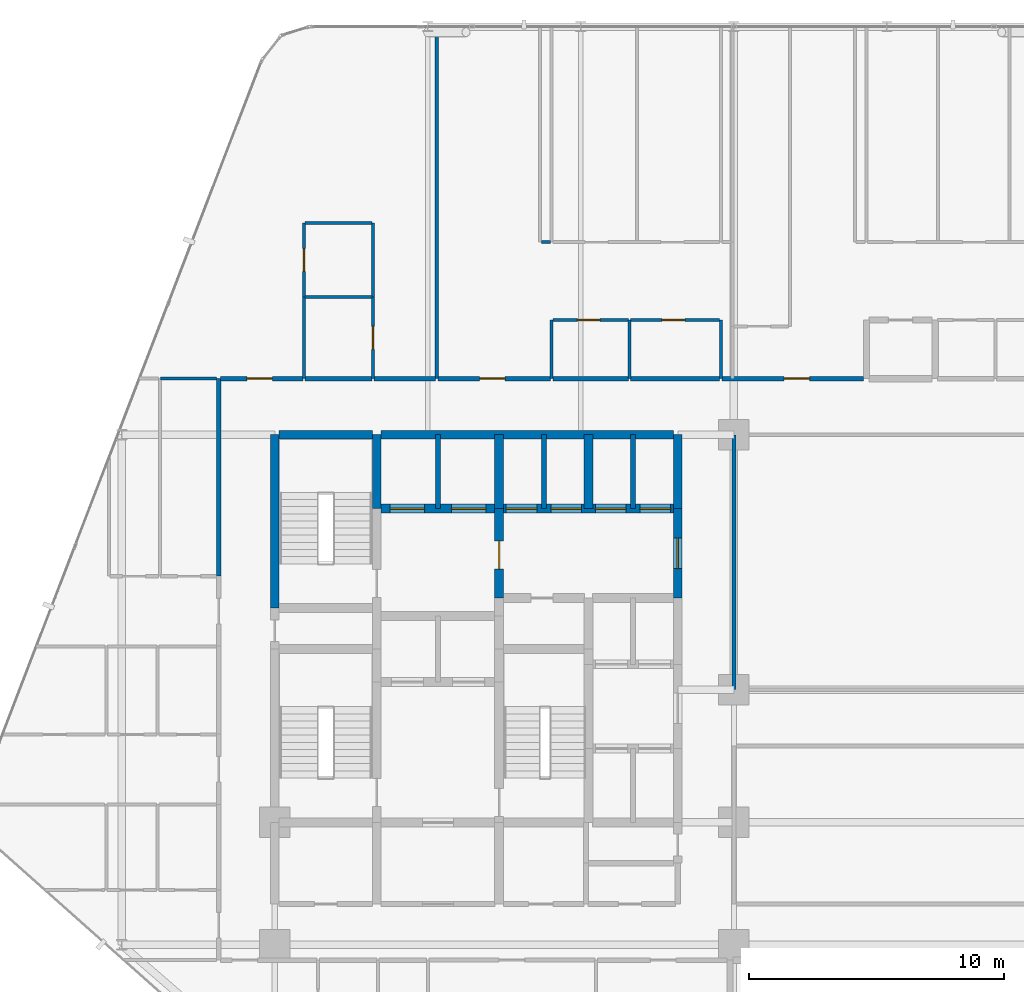
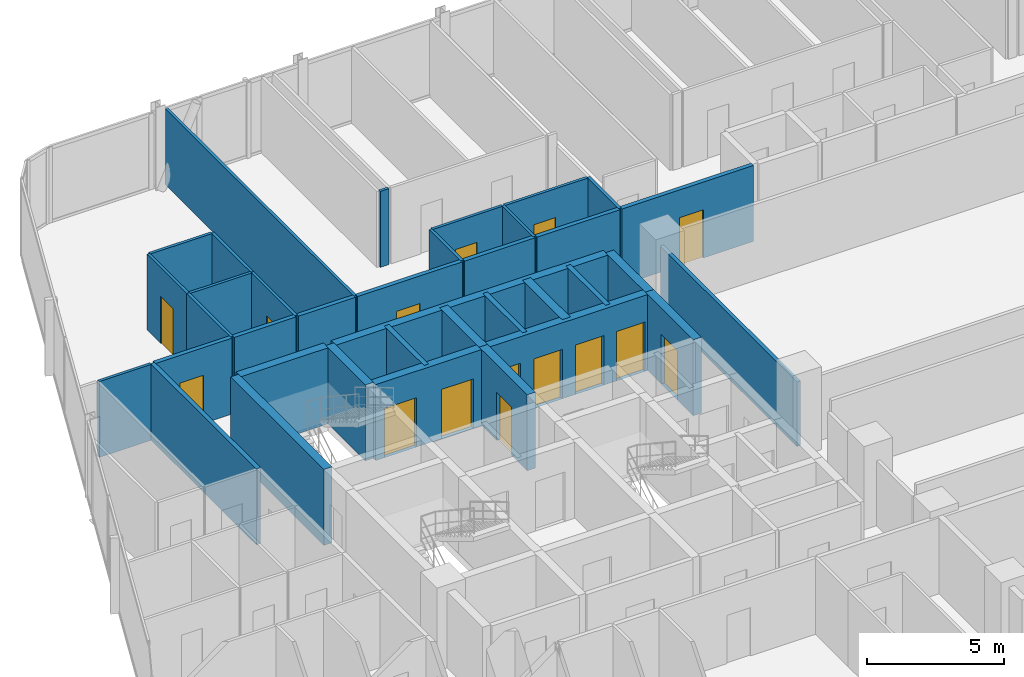
# One storey, part 30 of 34: 36 walls, 15 doors, 15 openings.
"""IFC4 building model written with IfcOpenShell, lengths in metres."""

from ifc_helpers import new_model, si_unit, direction, frame, frame_2d, origin, place, context, subcontext, project, spatial, rectangle, extrude, material, layer, layer_set, type_object, element, fill, save


model = new_model("IFC4")

# Units and contexts
model_context = context("Model", 3, precision=1e-05, world=origin(), true_north=direction((0.0, 1.0)))
body_context = subcontext(model_context, "Body", "Model", "MODEL_VIEW")
ifc_project = project(units=[si_unit("LENGTHUNIT", "METRE"), si_unit("AREAUNIT", "SQUARE_METRE"), si_unit("VOLUMEUNIT", "CUBIC_METRE"), si_unit("PLANEANGLEUNIT", "RADIAN"), si_unit("MASSUNIT", "GRAM", prefix="KILO")], contexts=[model_context])

# Site, building, storey
site_placement = place(None, origin())
site = spatial("IfcSite", under=ifc_project, at=site_placement, CompositionType="ELEMENT")
building_placement = place(site_placement, origin())
building = spatial("IfcBuilding", under=site, at=building_placement, Name="Keshet Zoharim Tower", CompositionType="ELEMENT")
storey_placement = place(building_placement, frame((0.0, 0.0, 53.60009765625)))
storey = spatial("IfcBuildingStorey", under=building, at=storey_placement, Name="L12", CompositionType="ELEMENT", Elevation=53.60009765625)

# Walls
ifc_material_1 = material(Name="Gypsum Plasterboard", Category="gypsum")
ifc_layer_1 = layer(ifc_material_1, 0.14990234375)
ifc_layer_set_1 = layer_set([ifc_layer_1], Name="Gypsum Plasterboard")
wall_type_1 = type_object("IfcWallType", Name="WL-CLIN-150", PredefinedType="STANDARD", material=ifc_layer_set_1)
wall_1_placement = place(storey_placement, frame((33.0, 27.909912109375, 0.0), z_axis=(0.0, 0.0, 1.0), x_axis=(0.0, 1.0, 0.0)))
element("IfcWall", 1, at=wall_1_placement, inside=storey, type_object=wall_type_1, Name="L12 Interior Wall 076", PredefinedType="STANDARD", context=body_context, shape_type="SweptSolid", body=[
    extrude(rectangle(XDim=9.97998046875, YDim=0.14990234375, at=frame_2d((4.989990234375, 0.0))), origin(), (0.0, 0.0, 1.0), 2.885009765625),
])
ifc_material_2 = material(Name="Concrete C60/75", Category="concrete")
ifc_layer_2 = layer(ifc_material_2, 0.35009765625)
ifc_layer_set_2 = layer_set([ifc_layer_2], Name="Concrete C60/75")
wall_type_2 = type_object("IfcWallType", Name="WL-CORE-350", PredefinedType="SHEAR", material=ifc_layer_set_2)
wall_2_placement = place(storey_placement, frame((15.0, 31.10009765625, 0.0), z_axis=(0.0, 0.0, 1.0), x_axis=(0.0, 1.0, 0.0)))
element("IfcWall", 2, at=wall_2_placement, inside=storey, type_object=wall_type_2, Name="L12 Core Shear Wall 016", PredefinedType="SHEAR", context=body_context, shape_type="SweptSolid", body=[
    extrude(rectangle(XDim=6.7998046875, YDim=0.35009765625, at=frame_2d((3.39990234375, 0.0))), origin(), (0.0, 0.0, 1.0), 3.385009765625),
])
wall_3_placement = place(storey_placement, frame((19.0, 35.0, 0.0), z_axis=(0.0, 0.0, 1.0), x_axis=(0.0, 1.0, 0.0)))
element("IfcWall", 3, at=wall_3_placement, inside=storey, type_object=wall_type_2, Name="L12 Core Shear Wall 027", PredefinedType="SHEAR", context=body_context, shape_type="SweptSolid", body=[
    extrude(rectangle(XDim=2.89990234375, YDim=0.35009765625, at=frame_2d((1.449951171875, 0.0))), origin(), (0.0, 0.0, 1.0), 3.385009765625),
])

# Wall, opening, door
wall_4_placement = place(storey_placement, frame((23.800048828125, 31.5, 0.0), z_axis=(0.0, 0.0, 1.0), x_axis=(0.0, 1.0, 0.0)))
wall_4 = element("IfcWall", 4, at=wall_4_placement, inside=storey, type_object=wall_type_2, Name="L12 Core Shear Wall 039", PredefinedType="SHEAR", context=body_context, shape_type="SweptSolid", body=[
    extrude(rectangle(XDim=3.5, YDim=0.35009765625, at=frame_2d((1.75, 0.0))), origin(), (0.0, 0.0, 1.0), 3.385009765625),
])
opening_1_placement = place(wall_4_placement, frame((1.126953125, 0.0, 0.0)))
opening_1 = element("IfcOpeningElement", 5, at=opening_1_placement, cuts=wall_4, Name="Opening D-F611", PredefinedType="OPENING", context=body_context, shape_type="SweptSolid", body=[
    extrude(rectangle(XDim=1.10009765625, YDim=2.14990234375, at=frame_2d((0.550048828125, 1.074951171875))), frame((0.0, 0.18505859375, 0.0), z_axis=(0.0, -1.0, 0.0), x_axis=(1.0, 0.0, 0.0)), (0.0, 0.0, 1.0), 0.3701171875),
])
ifc_material_3 = material(Name="Hardwood Timber", Category="wood")
door_type_1 = type_object("IfcDoorType", Name="DR-FD60-110", OperationType="NOTDEFINED", PredefinedType="DOOR", material=ifc_material_3)
door_1_placement = place(opening_1_placement, origin())
door_1 = element("IfcDoor", 6, at=door_1_placement, inside=storey, type_object=door_type_1, Name="L12 Firefighting Lobby Fire Door", OperationType="SINGLE_SWING_RIGHT", OverallHeight=2.14990234375, OverallWidth=1.10009765625, PredefinedType="DOOR", context=body_context, shape_type="SweptSolid", body=[
    extrude(rectangle(XDim=1.10009765625, YDim=2.14990234375, at=frame_2d((0.550048828125, 1.074951171875))), frame((0.0, 0.02490234375, 0.0), z_axis=(0.0, -1.0, 0.0), x_axis=(1.0, 0.0, 0.0)), (0.0, 0.0, 1.0), 0.050048828125),
])
fill(opening_1, door_1)

# Walls
for number, where, z_axis, x_axis, name in (
    (7, (23.800048828125, 35.0, 0.0), (0.0, 0.0, 1.0), (0.0, 1.0, 0.0), "L12 Core Shear Wall 040"),
    (8, (27.300048828125, 35.0, 0.0), (0.0, 0.0, 1.0), (0.0, 1.0, 0.0), "L12 Core Shear Wall 051"),
):
    element("IfcWall", number, at=place(storey_placement, frame(where, z_axis=z_axis, x_axis=x_axis)), inside=storey, type_object=wall_type_2, Name=name, PredefinedType="SHEAR", context=body_context, shape_type="SweptSolid", body=[
        extrude(rectangle(XDim=2.89990234375, YDim=0.35009765625, at=frame_2d((1.449951171875, 0.0))), origin(), (0.0, 0.0, 1.0), 3.385009765625),
    ])

# Wall, opening, door
wall_5_placement = place(storey_placement, frame((30.800048828125, 31.5, 0.0), z_axis=(0.0, 0.0, 1.0), x_axis=(0.0, 1.0, 0.0)))
wall_5 = element("IfcWall", 9, at=wall_5_placement, inside=storey, type_object=wall_type_2, Name="L12 Core Shear Wall 065", PredefinedType="SHEAR", context=body_context, shape_type="SweptSolid", body=[
    extrude(rectangle(XDim=3.5, YDim=0.35009765625, at=frame_2d((1.75, 0.0))), origin(), (0.0, 0.0, 1.0), 3.385009765625),
])
opening_2_placement = place(wall_5_placement, frame((1.14990234375, 0.0, 0.0)))
opening_2 = element("IfcOpeningElement", 10, at=opening_2_placement, cuts=wall_5, Name="Opening D-F612", PredefinedType="OPENING", context=body_context, shape_type="SweptSolid", body=[
    extrude(rectangle(XDim=1.199951171875, YDim=2.199951171875, at=frame_2d((0.60009765625, 1.10009765625))), frame((0.0, 0.18505859375, 0.0), z_axis=(0.0, -1.0, 0.0), x_axis=(1.0, 0.0, 0.0)), (0.0, 0.0, 1.0), 0.3701171875),
])
door_type_2 = type_object("IfcDoorType", Name="DR-FD60-120", OperationType="NOTDEFINED", PredefinedType="DOOR", material=ifc_material_3)
door_2_placement = place(opening_2_placement, origin())
door_2 = element("IfcDoor", 11, at=door_2_placement, inside=storey, type_object=door_type_2, Name="L12 North Lift Lobby East Fire Door", OperationType="SINGLE_SWING_LEFT", OverallHeight=2.199951171875, OverallWidth=1.199951171875, PredefinedType="DOOR", context=body_context, shape_type="SweptSolid", body=[
    extrude(rectangle(XDim=1.199951171875, YDim=2.199951171875, at=frame_2d((0.60009765625, 1.10009765625))), frame((0.0, 0.02490234375, 0.0), z_axis=(0.0, -1.0, 0.0), x_axis=(1.0, 0.0, 0.0)), (0.0, 0.0, 1.0), 0.050048828125),
])
fill(opening_2, door_2)

# Wall
wall_6_placement = place(storey_placement, frame((30.800048828125, 35.0, 0.0), z_axis=(0.0, 0.0, 1.0), x_axis=(0.0, 1.0, 0.0)))
element("IfcWall", 12, at=wall_6_placement, inside=storey, type_object=wall_type_2, Name="L12 Core Shear Wall 066", PredefinedType="SHEAR", context=body_context, shape_type="SweptSolid", body=[
    extrude(rectangle(XDim=2.89990234375, YDim=0.35009765625, at=frame_2d((1.449951171875, 0.0))), origin(), (0.0, 0.0, 1.0), 3.385009765625),
])

# Wall, openings, doors
wall_7_placement = place(storey_placement, frame((19.159912109375, 35.0, 0.0), z_axis=(0.0, 0.0, 1.0), x_axis=(1.0, 0.0, 0.0)))
wall_7 = element("IfcWall", 13, at=wall_7_placement, inside=storey, type_object=wall_type_2, Name="L12 Core Shear Wall 200", PredefinedType="SHEAR", context=body_context, shape_type="SweptSolid", body=[
    extrude(rectangle(XDim=11.47998046875, YDim=0.35009765625, at=frame_2d((5.739990234375, 0.0))), origin(), (0.0, 0.0, 1.0), 3.385009765625),
])
opening_3_placement = place(wall_7_placement, frame((0.364990234375, 0.0, 0.0)))
opening_3 = element("IfcOpeningElement", 14, at=opening_3_placement, cuts=wall_7, Name="Opening LD-02", PredefinedType="OPENING", context=body_context, shape_type="SweptSolid", body=[
    extrude(rectangle(XDim=1.35009765625, YDim=2.199951171875, at=frame_2d((0.675048828125, 1.10009765625))), frame((0.0, 0.18505859375, 0.0), z_axis=(0.0, -1.0, 0.0), x_axis=(1.0, 0.0, 0.0)), (0.0, 0.0, 1.0), 0.3701171875),
])
opening_4_placement = place(wall_7_placement, frame((2.764892578125, 0.0, 0.0)))
opening_4 = element("IfcOpeningElement", 15, at=opening_4_placement, cuts=wall_7, Name="Opening LD-02", PredefinedType="OPENING", context=body_context, shape_type="SweptSolid", body=[
    extrude(rectangle(XDim=1.35009765625, YDim=2.199951171875, at=frame_2d((0.675048828125, 1.10009765625))), frame((0.0, 0.18505859375, 0.0), z_axis=(0.0, -1.0, 0.0), x_axis=(1.0, 0.0, 0.0)), (0.0, 0.0, 1.0), 0.3701171875),
])
opening_5_placement = place(wall_7_placement, frame((4.9150390625, 0.0, 0.0)))
opening_5 = element("IfcOpeningElement", 16, at=opening_5_placement, cuts=wall_7, Name="Opening LD-03", PredefinedType="OPENING", context=body_context, shape_type="SweptSolid", body=[
    extrude(rectangle(XDim=1.199951171875, YDim=2.199951171875, at=frame_2d((0.60009765625, 1.10009765625))), frame((0.0, 0.18505859375, 0.0), z_axis=(0.0, -1.0, 0.0), x_axis=(1.0, 0.0, 0.0)), (0.0, 0.0, 1.0), 0.3701171875),
])
opening_6_placement = place(wall_7_placement, frame((6.6650390625, 0.0, 0.0)))
opening_6 = element("IfcOpeningElement", 17, at=opening_6_placement, cuts=wall_7, Name="Opening LD-03", PredefinedType="OPENING", context=body_context, shape_type="SweptSolid", body=[
    extrude(rectangle(XDim=1.199951171875, YDim=2.199951171875, at=frame_2d((0.60009765625, 1.10009765625))), frame((0.0, 0.18505859375, 0.0), z_axis=(0.0, -1.0, 0.0), x_axis=(1.0, 0.0, 0.0)), (0.0, 0.0, 1.0), 0.3701171875),
])
opening_7_placement = place(wall_7_placement, frame((8.4150390625, 0.0, 0.0)))
opening_7 = element("IfcOpeningElement", 18, at=opening_7_placement, cuts=wall_7, Name="Opening LD-03", PredefinedType="OPENING", context=body_context, shape_type="SweptSolid", body=[
    extrude(rectangle(XDim=1.199951171875, YDim=2.199951171875, at=frame_2d((0.60009765625, 1.10009765625))), frame((0.0, 0.18505859375, 0.0), z_axis=(0.0, -1.0, 0.0), x_axis=(1.0, 0.0, 0.0)), (0.0, 0.0, 1.0), 0.3701171875),
])
opening_8_placement = place(wall_7_placement, frame((10.159912109375, 0.0, 0.0)))
opening_8 = element("IfcOpeningElement", 19, at=opening_8_placement, cuts=wall_7, Name="Opening LD-03", PredefinedType="OPENING", context=body_context, shape_type="SweptSolid", body=[
    extrude(rectangle(XDim=1.199951171875, YDim=2.199951171875, at=frame_2d((0.60009765625, 1.10009765625))), frame((0.0, 0.18505859375, 0.0), z_axis=(0.0, -1.0, 0.0), x_axis=(1.0, 0.0, 0.0)), (0.0, 0.0, 1.0), 0.3701171875),
])
ifc_material_4 = material(Name="Steel S355", Category="steel")
door_type_3 = type_object("IfcDoorType", Name="DR-LD02-135", OperationType="DOUBLE_DOOR_SLIDING", PredefinedType="DOOR", material=ifc_material_4)
door_3_placement = place(opening_3_placement, origin())
door_3 = element("IfcDoor", 20, at=door_3_placement, inside=storey, type_object=door_type_3, Name="L12 Firefighting Lift Landing Door FF-01", OperationType="DOUBLE_DOOR_SLIDING", OverallHeight=2.199951171875, OverallWidth=1.35009765625, PredefinedType="DOOR", context=body_context, shape_type="SweptSolid", body=[
    extrude(rectangle(XDim=1.35009765625, YDim=2.199951171875, at=frame_2d((0.675048828125, 1.10009765625))), frame((0.0, 0.02490234375, 0.0), z_axis=(0.0, -1.0, 0.0), x_axis=(1.0, 0.0, 0.0)), (0.0, 0.0, 1.0), 0.050048828125),
])
fill(opening_3, door_3)
door_4_placement = place(opening_4_placement, origin())
door_4 = element("IfcDoor", 21, at=door_4_placement, inside=storey, type_object=door_type_3, Name="L12 Firefighting Lift Landing Door FF-02", OperationType="DOUBLE_DOOR_SLIDING", OverallHeight=2.199951171875, OverallWidth=1.35009765625, PredefinedType="DOOR", context=body_context, shape_type="SweptSolid", body=[
    extrude(rectangle(XDim=1.35009765625, YDim=2.199951171875, at=frame_2d((0.675048828125, 1.10009765625))), frame((0.0, 0.02490234375, 0.0), z_axis=(0.0, -1.0, 0.0), x_axis=(1.0, 0.0, 0.0)), (0.0, 0.0, 1.0), 0.050048828125),
])
fill(opening_4, door_4)
door_type_4 = type_object("IfcDoorType", Name="DR-LD03-120", OperationType="DOUBLE_DOOR_SLIDING", PredefinedType="DOOR", material=ifc_material_4)
door_5_placement = place(opening_5_placement, origin())
door_5 = element("IfcDoor", 22, at=door_5_placement, inside=storey, type_object=door_type_4, Name="L12 Passenger Lift Landing Door LF-01", OperationType="DOUBLE_DOOR_SLIDING", OverallHeight=2.199951171875, OverallWidth=1.199951171875, PredefinedType="DOOR", context=body_context, shape_type="SweptSolid", body=[
    extrude(rectangle(XDim=1.199951171875, YDim=2.199951171875, at=frame_2d((0.60009765625, 1.10009765625))), frame((0.0, 0.02490234375, 0.0), z_axis=(0.0, -1.0, 0.0), x_axis=(1.0, 0.0, 0.0)), (0.0, 0.0, 1.0), 0.050048828125),
])
fill(opening_5, door_5)
door_6_placement = place(opening_6_placement, origin())
door_6 = element("IfcDoor", 23, at=door_6_placement, inside=storey, type_object=door_type_4, Name="L12 Passenger Lift Landing Door LF-02", OperationType="DOUBLE_DOOR_SLIDING", OverallHeight=2.199951171875, OverallWidth=1.199951171875, PredefinedType="DOOR", context=body_context, shape_type="SweptSolid", body=[
    extrude(rectangle(XDim=1.199951171875, YDim=2.199951171875, at=frame_2d((0.60009765625, 1.10009765625))), frame((0.0, 0.02490234375, 0.0), z_axis=(0.0, -1.0, 0.0), x_axis=(1.0, 0.0, 0.0)), (0.0, 0.0, 1.0), 0.050048828125),
])
fill(opening_6, door_6)
door_7_placement = place(opening_7_placement, origin())
door_7 = element("IfcDoor", 24, at=door_7_placement, inside=storey, type_object=door_type_4, Name="L12 Passenger Lift Landing Door LF-03", OperationType="DOUBLE_DOOR_SLIDING", OverallHeight=2.199951171875, OverallWidth=1.199951171875, PredefinedType="DOOR", context=body_context, shape_type="SweptSolid", body=[
    extrude(rectangle(XDim=1.199951171875, YDim=2.199951171875, at=frame_2d((0.60009765625, 1.10009765625))), frame((0.0, 0.02490234375, 0.0), z_axis=(0.0, -1.0, 0.0), x_axis=(1.0, 0.0, 0.0)), (0.0, 0.0, 1.0), 0.050048828125),
])
fill(opening_7, door_7)
door_8_placement = place(opening_8_placement, origin())
door_8 = element("IfcDoor", 25, at=door_8_placement, inside=storey, type_object=door_type_4, Name="L12 Passenger Lift Landing Door LF-04", OperationType="DOUBLE_DOOR_SLIDING", OverallHeight=2.199951171875, OverallWidth=1.199951171875, PredefinedType="DOOR", context=body_context, shape_type="SweptSolid", body=[
    extrude(rectangle(XDim=1.199951171875, YDim=2.199951171875, at=frame_2d((0.60009765625, 1.10009765625))), frame((0.0, 0.02490234375, 0.0), z_axis=(0.0, -1.0, 0.0), x_axis=(1.0, 0.0, 0.0)), (0.0, 0.0, 1.0), 0.050048828125),
])
fill(opening_8, door_8)

# Walls
wall_8_placement = place(storey_placement, frame((15.159912109375, 37.89990234375, 0.0), z_axis=(0.0, 0.0, 1.0), x_axis=(1.0, 0.0, 0.0)))
element("IfcWall", 26, at=wall_8_placement, inside=storey, type_object=wall_type_2, Name="L12 Core Shear Wall 201", PredefinedType="SHEAR", context=body_context, shape_type="SweptSolid", body=[
    extrude(rectangle(XDim=3.68017578125, YDim=0.35009765625, at=frame_2d((1.840087890625, 0.0))), origin(), (0.0, 0.0, 1.0), 3.385009765625),
])
wall_9_placement = place(storey_placement, frame((19.159912109375, 37.89990234375, 0.0), z_axis=(0.0, 0.0, 1.0), x_axis=(1.0, 0.0, 0.0)))
element("IfcWall", 27, at=wall_9_placement, inside=storey, type_object=wall_type_2, Name="L12 Core Shear Wall 202", PredefinedType="SHEAR", context=body_context, shape_type="SweptSolid", body=[
    extrude(rectangle(XDim=11.47998046875, YDim=0.35009765625, at=frame_2d((5.739990234375, 0.0))), origin(), (0.0, 0.0, 1.0), 3.385009765625),
])
ifc_layer_3 = layer(ifc_material_1, 0.179931640625)
ifc_layer_set_3 = layer_set([ifc_layer_3], Name="Gypsum Plasterboard")
wall_type_3 = type_object("IfcWallType", Name="WL-CORR-180", PredefinedType="STANDARD", material=ifc_layer_set_3)
wall_10_placement = place(storey_placement, frame((12.800048828125, 32.360107421875, 0.0), z_axis=(0.0, 0.0, 1.0), x_axis=(0.0, 1.0, 0.0)))
element("IfcWall", 28, at=wall_10_placement, inside=storey, type_object=wall_type_3, Name="L12 Interior Wall 012", PredefinedType="STANDARD", context=body_context, shape_type="SweptSolid", body=[
    extrude(rectangle(XDim=7.739990234375, YDim=0.179931640625, at=frame_2d((3.8701171875, 0.0))), origin(), (0.0, 0.0, 1.0), 3.385009765625),
])

# Wall, opening, door
wall_11_placement = place(storey_placement, frame((12.875, 40.10009765625, 0.0), z_axis=(0.0, 0.0, 1.0), x_axis=(1.0, 0.0, 0.0)))
wall_11 = element("IfcWall", 29, at=wall_11_placement, inside=storey, type_object=wall_type_3, Name="L12 Interior Wall 206", PredefinedType="STANDARD", context=body_context, shape_type="SweptSolid", body=[
    extrude(rectangle(XDim=3.22998046875, YDim=0.179931640625, at=frame_2d((1.614990234375, 0.0))), origin(), (0.0, 0.0, 1.0), 3.385009765625),
])
opening_9_placement = place(wall_11_placement, frame((1.029052734375, 0.0, 0.0)))
opening_9 = element("IfcOpeningElement", 30, at=opening_9_placement, cuts=wall_11, Name="Opening D-F310", PredefinedType="OPENING", context=body_context, shape_type="SweptSolid", body=[
    extrude(rectangle(XDim=1.0, YDim=2.14990234375, at=frame_2d((0.5, 1.074951171875))), frame((0.0, 0.10009765625, 0.0), z_axis=(0.0, -1.0, 0.0), x_axis=(1.0, 0.0, 0.0)), (0.0, 0.0, 1.0), 0.199951171875),
])
door_type_5 = type_object("IfcDoorType", Name="DR-FD30-100", OperationType="NOTDEFINED", PredefinedType="DOOR", material=ifc_material_3)
door_9_placement = place(opening_9_placement, origin())
door_9 = element("IfcDoor", 31, at=door_9_placement, inside=storey, type_object=door_type_5, Name="Apartment 1205 Entrance Door", OperationType="SINGLE_SWING_RIGHT", OverallHeight=2.14990234375, OverallWidth=1.0, PredefinedType="DOOR", context=body_context, shape_type="SweptSolid", body=[
    extrude(rectangle(XDim=1.0, YDim=2.14990234375, at=frame_2d((0.5, 1.074951171875))), frame((0.0, 0.02490234375, 0.0), z_axis=(0.0, -1.0, 0.0), x_axis=(1.0, 0.0, 0.0)), (0.0, 0.0, 1.0), 0.050048828125),
])
fill(opening_9, door_9)

# Walls
wall_12_placement = place(storey_placement, frame((16.195068359375, 40.10009765625, 0.0), z_axis=(0.0, 0.0, 1.0), x_axis=(1.0, 0.0, 0.0)))
element("IfcWall", 32, at=wall_12_placement, inside=storey, type_object=wall_type_3, Name="L12 Interior Wall 207", PredefinedType="STANDARD", context=body_context, shape_type="SweptSolid", body=[
    extrude(rectangle(XDim=2.60986328125, YDim=0.179931640625, at=frame_2d((1.304931640625, 0.0))), origin(), (0.0, 0.0, 1.0), 3.385009765625),
])
wall_13_placement = place(storey_placement, frame((18.89501953125, 40.10009765625, 0.0), z_axis=(0.0, 0.0, 1.0), x_axis=(1.0, 0.0, 0.0)))
element("IfcWall", 33, at=wall_13_placement, inside=storey, type_object=wall_type_3, Name="L12 Interior Wall 208", PredefinedType="STANDARD", context=body_context, shape_type="SweptSolid", body=[
    extrude(rectangle(XDim=2.409912109375, YDim=0.179931640625, at=frame_2d((1.205078125, 0.0))), origin(), (0.0, 0.0, 1.0), 3.385009765625),
])

# Wall, opening, door
wall_14_placement = place(storey_placement, frame((21.39501953125, 40.10009765625, 0.0), z_axis=(0.0, 0.0, 1.0), x_axis=(1.0, 0.0, 0.0)))
wall_14 = element("IfcWall", 34, at=wall_14_placement, inside=storey, type_object=wall_type_3, Name="L12 Interior Wall 209", PredefinedType="STANDARD", context=body_context, shape_type="SweptSolid", body=[
    extrude(rectangle(XDim=4.419921875, YDim=0.179931640625, at=frame_2d((2.2099609375, 0.0))), origin(), (0.0, 0.0, 1.0), 3.385009765625),
])
opening_10_placement = place(wall_14_placement, frame((1.637939453125, 0.0, 0.0)))
opening_10 = element("IfcOpeningElement", 35, at=opening_10_placement, cuts=wall_14, Name="Opening D-F310", PredefinedType="OPENING", context=body_context, shape_type="SweptSolid", body=[
    extrude(rectangle(XDim=1.0, YDim=2.14990234375, at=frame_2d((0.5, 1.074951171875))), frame((0.0, 0.10009765625, 0.0), z_axis=(0.0, -1.0, 0.0), x_axis=(1.0, 0.0, 0.0)), (0.0, 0.0, 1.0), 0.199951171875),
])
door_10_placement = place(opening_10_placement, origin())
door_10 = element("IfcDoor", 36, at=door_10_placement, inside=storey, type_object=door_type_5, Name="Apartment 1206 Entrance Door", OperationType="SINGLE_SWING_LEFT", OverallHeight=2.14990234375, OverallWidth=1.0, PredefinedType="DOOR", context=body_context, shape_type="SweptSolid", body=[
    extrude(rectangle(XDim=1.0, YDim=2.14990234375, at=frame_2d((0.5, 1.074951171875))), frame((0.0, 0.02490234375, 0.0), z_axis=(0.0, -1.0, 0.0), x_axis=(1.0, 0.0, 0.0)), (0.0, 0.0, 1.0), 0.050048828125),
])
fill(opening_10, door_10)

# Walls
wall_15_placement = place(storey_placement, frame((25.905029296875, 40.10009765625, 0.0), z_axis=(0.0, 0.0, 1.0), x_axis=(1.0, 0.0, 0.0)))
element("IfcWall", 37, at=wall_15_placement, inside=storey, type_object=wall_type_3, Name="L12 Interior Wall 210", PredefinedType="STANDARD", context=body_context, shape_type="SweptSolid", body=[
    extrude(rectangle(XDim=2.9599609375, YDim=0.179931640625, at=frame_2d((1.47998046875, 0.0))), origin(), (0.0, 0.0, 1.0), 3.385009765625),
])
wall_16_placement = place(storey_placement, frame((28.955078125, 40.10009765625, 0.0), z_axis=(0.0, 0.0, 1.0), x_axis=(1.0, 0.0, 0.0)))
element("IfcWall", 38, at=wall_16_placement, inside=storey, type_object=wall_type_3, Name="L12 Interior Wall 211", PredefinedType="STANDARD", context=body_context, shape_type="SweptSolid", body=[
    extrude(rectangle(XDim=3.489990234375, YDim=0.179931640625, at=frame_2d((1.7451171875, 0.0))), origin(), (0.0, 0.0, 1.0), 3.385009765625),
])

# Wall, opening, door
wall_17_placement = place(storey_placement, frame((32.534912109375, 40.10009765625, 0.0), z_axis=(0.0, 0.0, 1.0), x_axis=(1.0, 0.0, 0.0)))
wall_17 = element("IfcWall", 39, at=wall_17_placement, inside=storey, type_object=wall_type_3, Name="L12 Interior Wall 212", PredefinedType="STANDARD", context=body_context, shape_type="SweptSolid", body=[
    extrude(rectangle(XDim=5.545166015625, YDim=0.179931640625, at=frame_2d((2.7724609375, 0.0))), origin(), (0.0, 0.0, 1.0), 3.385009765625),
])
opening_11_placement = place(wall_17_placement, frame((2.43505859375, 0.0, 0.0)))
opening_11 = element("IfcOpeningElement", 40, at=opening_11_placement, cuts=wall_17, Name="Opening D-F310", PredefinedType="OPENING", context=body_context, shape_type="SweptSolid", body=[
    extrude(rectangle(XDim=1.0, YDim=2.14990234375, at=frame_2d((0.5, 1.074951171875))), frame((0.0, 0.10009765625, 0.0), z_axis=(0.0, -1.0, 0.0), x_axis=(1.0, 0.0, 0.0)), (0.0, 0.0, 1.0), 0.199951171875),
])
door_11_placement = place(opening_11_placement, origin())
door_11 = element("IfcDoor", 41, at=door_11_placement, inside=storey, type_object=door_type_5, Name="Apartment 1207 Entrance Door", OperationType="SINGLE_SWING_RIGHT", OverallHeight=2.14990234375, OverallWidth=1.0, PredefinedType="DOOR", context=body_context, shape_type="SweptSolid", body=[
    extrude(rectangle(XDim=1.0, YDim=2.14990234375, at=frame_2d((0.5, 1.074951171875))), frame((0.0, 0.02490234375, 0.0), z_axis=(0.0, -1.0, 0.0), x_axis=(1.0, 0.0, 0.0)), (0.0, 0.0, 1.0), 0.050048828125),
])
fill(opening_11, door_11)

# Walls
ifc_material_5 = material(Name="Concrete C50/60", Category="concrete")
ifc_layer_4 = layer(ifc_material_5, 0.199951171875)
ifc_layer_set_4 = layer_set([ifc_layer_4], Name="Concrete C50/60")
wall_type_4 = type_object("IfcWallType", Name="WL-FIRE-200", PredefinedType="STANDARD", material=ifc_layer_set_4)
for number, where, z_axis, x_axis, name in (
    (42, (21.39990234375, 35.0, 0.0), (0.0, 0.0, 1.0), (0.0, 1.0, 0.0), "L12 Interior Wall 033"),
    (43, (25.550048828125, 35.0, 0.0), (0.0, 0.0, 1.0), (0.0, 1.0, 0.0), "L12 Interior Wall 042"),
    (44, (29.050048828125, 35.0, 0.0), (0.0, 0.0, 1.0), (0.0, 1.0, 0.0), "L12 Interior Wall 057"),
):
    element("IfcWall", number, at=place(storey_placement, frame(where, z_axis=z_axis, x_axis=x_axis)), inside=storey, type_object=wall_type_4, Name=name, PredefinedType="STANDARD", context=body_context, shape_type="SweptSolid", body=[
        extrude(rectangle(XDim=2.89990234375, YDim=0.199951171875, at=frame_2d((1.449951171875, 0.0))), origin(), (0.0, 0.0, 1.0), 3.385009765625),
    ])
ifc_layer_5 = layer(ifc_material_1, 0.1201171875)
ifc_layer_set_5 = layer_set([ifc_layer_5], Name="Gypsum Plasterboard")
wall_type_5 = type_object("IfcWallType", Name="WL-PART-120", PredefinedType="PARTITIONING", material=ifc_layer_set_5)
wall_18_placement = place(storey_placement, frame((16.14990234375, 40.10009765625, 0.0), z_axis=(0.0, 0.0, 1.0), x_axis=(0.0, 1.0, 0.0)))
element("IfcWall", 45, at=wall_18_placement, inside=storey, type_object=wall_type_5, Name="L12 Interior Wall 017", PredefinedType="PARTITIONING", context=body_context, shape_type="SweptSolid", body=[
    extrude(rectangle(XDim=3.199951171875, YDim=0.1201171875, at=frame_2d((1.60009765625, 0.0))), origin(), (0.0, 0.0, 1.0), 3.385009765625),
])

# Wall, opening, door
wall_19_placement = place(storey_placement, frame((18.85009765625, 40.10009765625, 0.0), z_axis=(0.0, 0.0, 1.0), x_axis=(0.0, 1.0, 0.0)))
wall_19 = element("IfcWall", 46, at=wall_19_placement, inside=storey, type_object=wall_type_5, Name="L12 Interior Wall 021", PredefinedType="PARTITIONING", context=body_context, shape_type="SweptSolid", body=[
    extrude(rectangle(XDim=3.199951171875, YDim=0.1201171875, at=frame_2d((1.60009765625, 0.0))), origin(), (0.0, 0.0, 1.0), 3.385009765625),
])
opening_12_placement = place(wall_19_placement, frame((1.14990234375, 0.0, 0.0)))
opening_12 = element("IfcOpeningElement", 47, at=opening_12_placement, cuts=wall_19, Name="Opening D-IN90", PredefinedType="OPENING", context=body_context, shape_type="SweptSolid", body=[
    extrude(rectangle(XDim=0.89990234375, YDim=2.14990234375, at=frame_2d((0.449951171875, 1.074951171875))), frame((0.0, 0.070068359375, 0.0), z_axis=(0.0, -1.0, 0.0), x_axis=(1.0, 0.0, 0.0)), (0.0, 0.0, 1.0), 0.14013671875),
])
door_type_6 = type_object("IfcDoorType", Name="DR-INT-090", OperationType="NOTDEFINED", PredefinedType="DOOR", material=ifc_material_3)
door_12_placement = place(opening_12_placement, origin())
door_12 = element("IfcDoor", 48, at=door_12_placement, inside=storey, type_object=door_type_6, Name="Apartment 1205 Kitchenette Door", OperationType="SINGLE_SWING_LEFT", OverallHeight=2.14990234375, OverallWidth=0.89990234375, PredefinedType="DOOR", context=body_context, shape_type="SweptSolid", body=[
    extrude(rectangle(XDim=0.89990234375, YDim=2.14990234375, at=frame_2d((0.449951171875, 1.074951171875))), frame((0.0, 0.02490234375, 0.0), z_axis=(0.0, -1.0, 0.0), x_axis=(1.0, 0.0, 0.0)), (0.0, 0.0, 1.0), 0.050048828125),
])
fill(opening_12, door_12)

# Walls
wall_20_placement = place(storey_placement, frame((21.35009765625, 40.10009765625, 0.0), z_axis=(0.0, 0.0, 1.0), x_axis=(0.0, 1.0, 0.0)))
element("IfcWall", 49, at=wall_20_placement, inside=storey, type_object=wall_type_5, Name="L12 Interior Wall 031", PredefinedType="PARTITIONING", context=body_context, shape_type="SweptSolid", body=[
    extrude(rectangle(XDim=13.789794921875, YDim=0.1201171875, at=frame_2d((6.89501953125, 0.0))), origin(), (0.0, 0.0, 1.0), 3.385009765625),
])
wall_21_placement = place(storey_placement, frame((25.85009765625, 40.10009765625, 0.0), z_axis=(0.0, 0.0, 1.0), x_axis=(0.0, 1.0, 0.0)))
element("IfcWall", 50, at=wall_21_placement, inside=storey, type_object=wall_type_5, Name="L12 Interior Wall 043", PredefinedType="PARTITIONING", context=body_context, shape_type="SweptSolid", body=[
    extrude(rectangle(XDim=2.2998046875, YDim=0.1201171875, at=frame_2d((1.14990234375, 0.0))), origin(), (0.0, 0.0, 1.0), 3.385009765625),
])

# Wall, opening, door
wall_22_placement = place(storey_placement, frame((25.905029296875, 42.39990234375, 0.0), z_axis=(0.0, 0.0, 1.0), x_axis=(1.0, 0.0, 0.0)))
wall_22 = element("IfcWall", 51, at=wall_22_placement, inside=storey, type_object=wall_type_5, Name="L12 Interior Wall 224", PredefinedType="PARTITIONING", context=body_context, shape_type="SweptSolid", body=[
    extrude(rectangle(XDim=2.9599609375, YDim=0.1201171875, at=frame_2d((1.47998046875, 0.0))), origin(), (0.0, 0.0, 1.0), 3.385009765625),
])
opening_13_placement = place(wall_22_placement, frame((0.9560546875, 0.0, 0.0)))
opening_13 = element("IfcOpeningElement", 52, at=opening_13_placement, cuts=wall_22, Name="Opening D-IN90", PredefinedType="OPENING", context=body_context, shape_type="SweptSolid", body=[
    extrude(rectangle(XDim=0.89990234375, YDim=2.14990234375, at=frame_2d((0.449951171875, 1.074951171875))), frame((0.0, 0.070068359375, 0.0), z_axis=(0.0, -1.0, 0.0), x_axis=(1.0, 0.0, 0.0)), (0.0, 0.0, 1.0), 0.14013671875),
])
door_13_placement = place(opening_13_placement, origin())
door_13 = element("IfcDoor", 53, at=door_13_placement, inside=storey, type_object=door_type_6, Name="Apartment 1206 Kitchen Door", OperationType="SINGLE_SWING_RIGHT", OverallHeight=2.14990234375, OverallWidth=0.89990234375, PredefinedType="DOOR", context=body_context, shape_type="SweptSolid", body=[
    extrude(rectangle(XDim=0.89990234375, YDim=2.14990234375, at=frame_2d((0.449951171875, 1.074951171875))), frame((0.0, 0.02490234375, 0.0), z_axis=(0.0, -1.0, 0.0), x_axis=(1.0, 0.0, 0.0)), (0.0, 0.0, 1.0), 0.050048828125),
])
fill(opening_13, door_13)

# Wall
wall_23_placement = place(storey_placement, frame((25.455078125, 45.449951171875, 0.0), z_axis=(0.0, 0.0, 1.0), x_axis=(1.0, 0.0, 0.0)))
element("IfcWall", 54, at=wall_23_placement, inside=storey, type_object=wall_type_5, Name="L12 Interior Wall 232", PredefinedType="PARTITIONING", context=body_context, shape_type="SweptSolid", body=[
    extrude(rectangle(XDim=0.35986328125, YDim=0.1201171875, at=frame_2d((0.179931640625, 0.0))), origin(), (0.0, 0.0, 1.0), 3.385009765625),
])

# Wall, opening, door
ifc_layer_6 = layer(ifc_material_1, 0.1201171875)
ifc_layer_set_6 = layer_set([ifc_layer_6], Name="Gypsum Plasterboard")
wall_type_6 = type_object("IfcWallType", Name="WL-WET-120", PredefinedType="PARTITIONING", material=ifc_layer_set_6)
wall_24_placement = place(storey_placement, frame((16.14990234375, 43.300048828125, 0.0), z_axis=(0.0, 0.0, 1.0), x_axis=(0.0, 1.0, 0.0)))
wall_24 = element("IfcWall", 55, at=wall_24_placement, inside=storey, type_object=wall_type_6, Name="L12 Interior Wall 018", PredefinedType="PARTITIONING", context=body_context, shape_type="SweptSolid", body=[
    extrude(rectangle(XDim=2.89990234375, YDim=0.1201171875, at=frame_2d((1.449951171875, 0.0))), origin(), (0.0, 0.0, 1.0), 3.385009765625),
])
opening_14_placement = place(wall_24_placement, frame((1.0, 0.0, 0.0)))
opening_14 = element("IfcOpeningElement", 56, at=opening_14_placement, cuts=wall_24, Name="Opening D-WT90", PredefinedType="OPENING", context=body_context, shape_type="SweptSolid", body=[
    extrude(rectangle(XDim=0.89990234375, YDim=2.10009765625, at=frame_2d((0.449951171875, 1.050048828125))), frame((0.0, 0.070068359375, 0.0), z_axis=(0.0, -1.0, 0.0), x_axis=(1.0, 0.0, 0.0)), (0.0, 0.0, 1.0), 0.14013671875),
])
door_type_7 = type_object("IfcDoorType", Name="DR-WET-090", OperationType="NOTDEFINED", PredefinedType="DOOR", material=ifc_material_3)
door_14_placement = place(opening_14_placement, origin())
door_14 = element("IfcDoor", 57, at=door_14_placement, inside=storey, type_object=door_type_7, Name="Apartment 1205 Bathroom Door", OperationType="SINGLE_SWING_LEFT", OverallHeight=2.10009765625, OverallWidth=0.89990234375, PredefinedType="DOOR", context=body_context, shape_type="SweptSolid", body=[
    extrude(rectangle(XDim=0.89990234375, YDim=2.10009765625, at=frame_2d((0.449951171875, 1.050048828125))), frame((0.0, 0.02490234375, 0.0), z_axis=(0.0, -1.0, 0.0), x_axis=(1.0, 0.0, 0.0)), (0.0, 0.0, 1.0), 0.050048828125),
])
fill(opening_14, door_14)

# Walls
wall_25_placement = place(storey_placement, frame((18.85009765625, 43.300048828125, 0.0), z_axis=(0.0, 0.0, 1.0), x_axis=(0.0, 1.0, 0.0)))
element("IfcWall", 58, at=wall_25_placement, inside=storey, type_object=wall_type_6, Name="L12 Interior Wall 022", PredefinedType="PARTITIONING", context=body_context, shape_type="SweptSolid", body=[
    extrude(rectangle(XDim=2.89990234375, YDim=0.1201171875, at=frame_2d((1.449951171875, 0.0))), origin(), (0.0, 0.0, 1.0), 3.385009765625),
])
for number, where, z_axis, x_axis, name in (
    (59, (28.89990234375, 40.10009765625, 0.0), (0.0, 0.0, 1.0), (0.0, 1.0, 0.0), "L12 Interior Wall 054"),
    (60, (32.5, 40.10009765625, 0.0), (0.0, 0.0, 1.0), (0.0, 1.0, 0.0), "L12 Interior Wall 068"),
):
    element("IfcWall", number, at=place(storey_placement, frame(where, z_axis=z_axis, x_axis=x_axis)), inside=storey, type_object=wall_type_6, Name=name, PredefinedType="PARTITIONING", context=body_context, shape_type="SweptSolid", body=[
        extrude(rectangle(XDim=2.2998046875, YDim=0.1201171875, at=frame_2d((1.14990234375, 0.0))), origin(), (0.0, 0.0, 1.0), 3.385009765625),
    ])
wall_26_placement = place(storey_placement, frame((10.52294921875, 40.10009765625, 0.0), z_axis=(0.0, 0.0, 1.0), x_axis=(1.0, 0.0, 0.0)))
element("IfcWall", 61, at=wall_26_placement, inside=storey, type_object=wall_type_6, Name="L12 Interior Wall 205", PredefinedType="PARTITIONING", context=body_context, shape_type="SweptSolid", body=[
    extrude(rectangle(XDim=2.2021484375, YDim=0.1201171875, at=frame_2d((1.10107421875, 0.0))), origin(), (0.0, 0.0, 1.0), 3.385009765625),
])

# Wall, opening, door
wall_27_placement = place(storey_placement, frame((28.955078125, 42.39990234375, 0.0), z_axis=(0.0, 0.0, 1.0), x_axis=(1.0, 0.0, 0.0)))
wall_27 = element("IfcWall", 62, at=wall_27_placement, inside=storey, type_object=wall_type_6, Name="L12 Interior Wall 225", PredefinedType="PARTITIONING", context=body_context, shape_type="SweptSolid", body=[
    extrude(rectangle(XDim=3.489990234375, YDim=0.1201171875, at=frame_2d((1.7451171875, 0.0))), origin(), (0.0, 0.0, 1.0), 3.385009765625),
])
opening_15_placement = place(wall_27_placement, frame((1.222900390625, 0.0, 0.0)))
opening_15 = element("IfcOpeningElement", 63, at=opening_15_placement, cuts=wall_27, Name="Opening D-WT90", PredefinedType="OPENING", context=body_context, shape_type="SweptSolid", body=[
    extrude(rectangle(XDim=0.89990234375, YDim=2.10009765625, at=frame_2d((0.449951171875, 1.050048828125))), frame((0.0, 0.070068359375, 0.0), z_axis=(0.0, -1.0, 0.0), x_axis=(1.0, 0.0, 0.0)), (0.0, 0.0, 1.0), 0.14013671875),
])
door_15_placement = place(opening_15_placement, origin())
door_15 = element("IfcDoor", 64, at=door_15_placement, inside=storey, type_object=door_type_7, Name="Apartment 1206 Bathroom Door", OperationType="SINGLE_SWING_LEFT", OverallHeight=2.10009765625, OverallWidth=0.89990234375, PredefinedType="DOOR", context=body_context, shape_type="SweptSolid", body=[
    extrude(rectangle(XDim=0.89990234375, YDim=2.10009765625, at=frame_2d((0.449951171875, 1.050048828125))), frame((0.0, 0.02490234375, 0.0), z_axis=(0.0, -1.0, 0.0), x_axis=(1.0, 0.0, 0.0)), (0.0, 0.0, 1.0), 0.050048828125),
])
fill(opening_15, door_15)

# Walls
for number, where, z_axis, x_axis, name in (
    (65, (16.195068359375, 43.300048828125, 0.0), (0.0, 0.0, 1.0), (1.0, 0.0, 0.0), "L12 Interior Wall 231"),
    (66, (16.195068359375, 46.199951171875, 0.0), (0.0, 0.0, 1.0), (1.0, 0.0, 0.0), "L12 Interior Wall 240"),
):
    element("IfcWall", number, at=place(storey_placement, frame(where, z_axis=z_axis, x_axis=x_axis)), inside=storey, type_object=wall_type_6, Name=name, PredefinedType="PARTITIONING", context=body_context, shape_type="SweptSolid", body=[
        extrude(rectangle(XDim=2.60986328125, YDim=0.1201171875, at=frame_2d((1.304931640625, 0.0))), origin(), (0.0, 0.0, 1.0), 3.385009765625),
    ])

save(model, "model.ifc")
